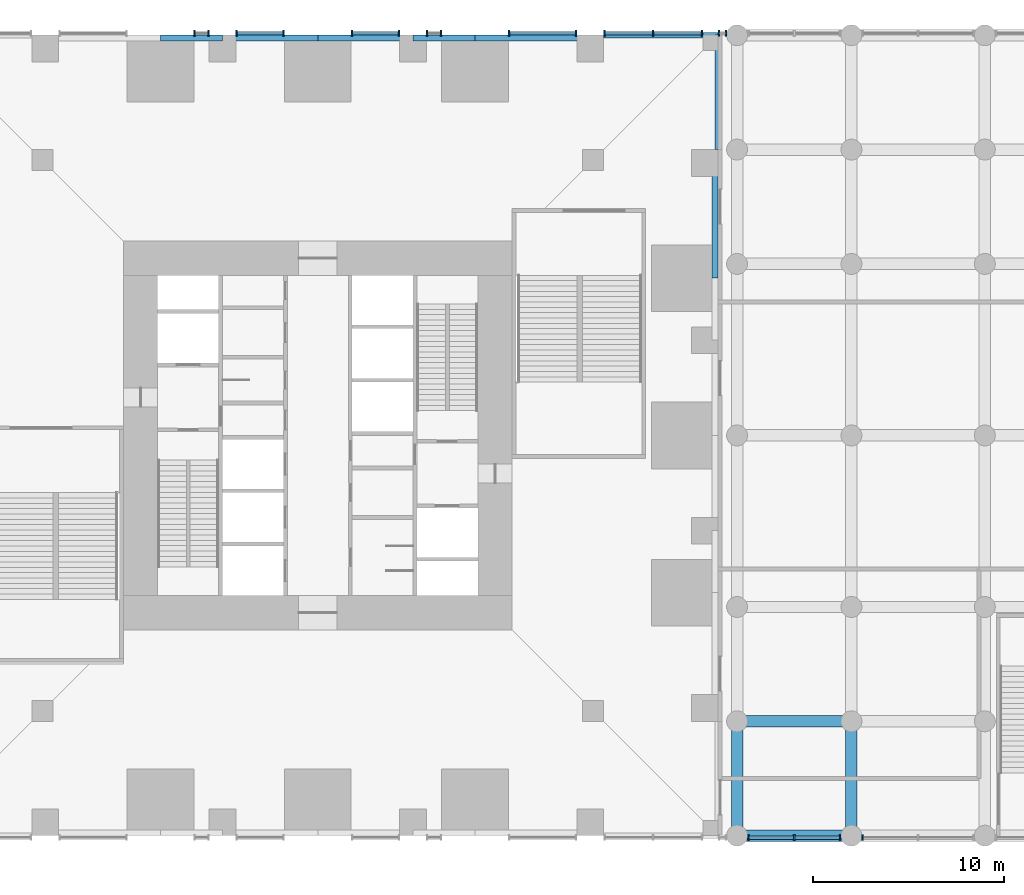
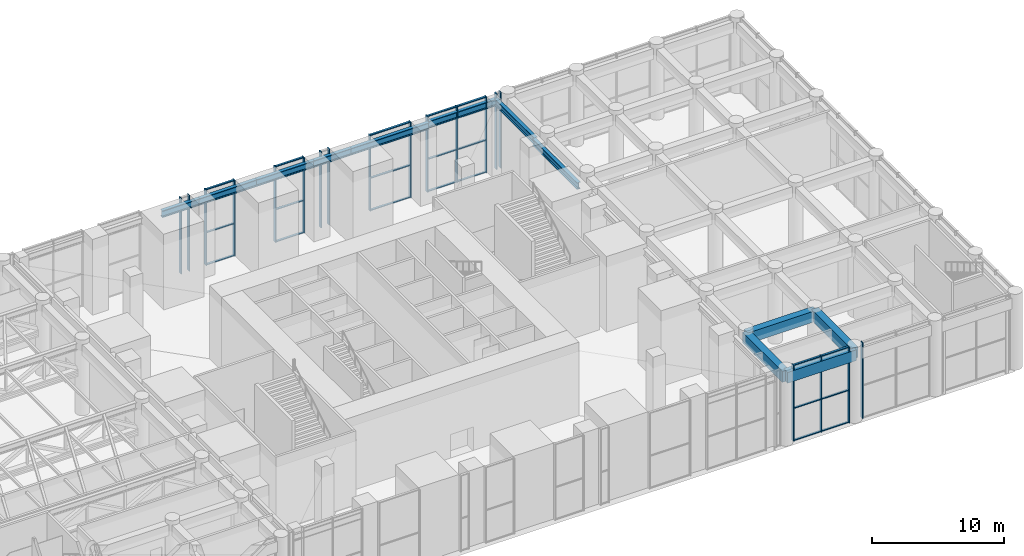
# One storey, part 11 of 30: 40 members, 12 beams, 9 elements without a shape of their own.
"""IFC4 building model written with IfcOpenShell, lengths in metres."""

from ifc_helpers import new_model, si_unit, direction, frame, origin, origin_2d, place, context, subcontext, project, spatial, rectangle, i_section, extrude, material, material_profile, profile_set, type_object, element, aggregate, save


model = new_model("IFC4")

# Units and contexts
model_context = context("Model", 3, precision=1e-05, world=origin(), true_north=direction((0.0, 1.0)))
body_context = subcontext(model_context, "Body", "Model", "MODEL_VIEW")
ifc_project = project(units=[si_unit("LENGTHUNIT", "METRE"), si_unit("AREAUNIT", "SQUARE_METRE"), si_unit("VOLUMEUNIT", "CUBIC_METRE"), si_unit("PLANEANGLEUNIT", "RADIAN"), si_unit("MASSUNIT", "GRAM", prefix="KILO")], contexts=[model_context])

# Site, building, storey
site_placement = place(None, origin())
site = spatial("IfcSite", under=ifc_project, at=site_placement, CompositionType="ELEMENT")
building_placement = place(site_placement, origin())
building = spatial("IfcBuilding", under=site, at=building_placement, Name="Svetlomir Tower", CompositionType="ELEMENT")
storey_placement = place(building_placement, frame((0.0, 0.0, 11.0)))
storey = spatial("IfcBuildingStorey", under=building, at=storey_placement, Name="L02", CompositionType="ELEMENT", Elevation=11.0)

# Curtain wall, members
ifc_material_1 = material(Name="Bronze anodised aluminium curtain wall", Category="aluminium")
curtain_wall_type = type_object("IfcCurtainWallType", Name="CURTAIN WALL CW5 PODIUM", PredefinedType="NOTDEFINED", material=ifc_material_1)
curtain_wall_1_placement = place(storey_placement, origin())
curtain_wall_1 = element("IfcCurtainWall", 1, at=curtain_wall_1_placement, inside=storey, type_object=curtain_wall_type, Name="Curtain wall CW5 L02", PredefinedType="NOTDEFINED")
ifc_material_2 = material(Name="Bronze anodised aluminium", Category="aluminium")
ifc_material_profile_1 = material_profile(ifc_material_2, rectangle(XDim=0.080078125, YDim=0.300048828125, at=origin_2d()), Name="AL 80x300")
ifc_profile_set_1 = profile_set([ifc_material_profile_1], Name="Bronze anodised aluminium 6063-T6")
member_type_1 = type_object("IfcMemberType", Name="CW5 MULLION 80x300", PredefinedType="MULLION", material=ifc_profile_set_1)
member_1_placement = place(storey_placement, frame((43.590087890625, -0.10009765625, 0.0), z_axis=(0.0, 0.0, 1.0), x_axis=(1.0, 0.0, 0.0)))
member_1 = element("IfcMember", 2, at=member_1_placement, type_object=member_type_1, Name="CW5 mullion 1", PredefinedType="MULLION", context=body_context, shape_type="SweptSolid", body=[
    extrude(rectangle(XDim=0.080078125, YDim=0.300048828125, at=origin_2d()), origin(), (0.0, 0.0, 1.0), 7.0),
])
member_2_placement = place(storey_placement, frame((46.0, -0.10009765625, 0.0), z_axis=(0.0, 0.0, 1.0), x_axis=(1.0, 0.0, 0.0)))
member_2 = element("IfcMember", 3, at=member_2_placement, type_object=member_type_1, Name="CW5 mullion 2", PredefinedType="MULLION", context=body_context, shape_type="SweptSolid", body=[
    extrude(rectangle(XDim=0.080078125, YDim=0.300048828125, at=origin_2d()), origin(), (0.0, 0.0, 1.0), 7.0),
])
member_3_placement = place(storey_placement, frame((48.409912109375, -0.10009765625, 0.0), z_axis=(0.0, 0.0, 1.0), x_axis=(1.0, 0.0, 0.0)))
member_3 = element("IfcMember", 4, at=member_3_placement, type_object=member_type_1, Name="CW5 mullion 3", PredefinedType="MULLION", context=body_context, shape_type="SweptSolid", body=[
    extrude(rectangle(XDim=0.080078125, YDim=0.300048828125, at=origin_2d()), origin(), (0.0, 0.0, 1.0), 7.0),
])

# Curtain wall, member
curtain_wall_2_placement = place(storey_placement, origin())
curtain_wall_2 = element("IfcCurtainWall", 5, at=curtain_wall_2_placement, inside=storey, type_object=curtain_wall_type, Name="Curtain wall CW5 L02", PredefinedType="NOTDEFINED")
member_4_placement = place(storey_placement, frame((49.590087890625, -0.10009765625, 0.0), z_axis=(0.0, 0.0, 1.0), x_axis=(1.0, 0.0, 0.0)))
member_4 = element("IfcMember", 6, at=member_4_placement, type_object=member_type_1, Name="CW5 mullion 1", PredefinedType="MULLION", context=body_context, shape_type="SweptSolid", body=[
    extrude(rectangle(XDim=0.080078125, YDim=0.300048828125, at=origin_2d()), origin(), (0.0, 0.0, 1.0), 7.0),
])
aggregate(curtain_wall_2, [member_4])

# Curtain wall, members
curtain_wall_3_placement = place(storey_placement, origin())
curtain_wall_3 = element("IfcCurtainWall", 7, at=curtain_wall_3_placement, inside=storey, type_object=curtain_wall_type, Name="Curtain wall CW5 L02", PredefinedType="NOTDEFINED")
member_5_placement = place(storey_placement, frame((42.409912109375, 42.10009765625, 0.0), z_axis=(0.0, 0.0, 1.0), x_axis=(-1.0, 0.0, 0.0)))
member_5 = element("IfcMember", 8, at=member_5_placement, type_object=member_type_1, Name="CW5 mullion 1", PredefinedType="MULLION", context=body_context, shape_type="SweptSolid", body=[
    extrude(rectangle(XDim=0.080078125, YDim=0.300048828125, at=origin_2d()), origin(), (0.0, 0.0, 1.0), 7.0),
])
member_6_placement = place(storey_placement, frame((42.0400390625, 42.10009765625, 0.0), z_axis=(0.0, 0.0, 1.0), x_axis=(-1.0, 0.0, 0.0)))
member_6 = element("IfcMember", 9, at=member_6_placement, type_object=member_type_1, Name="CW5 mullion 2", PredefinedType="MULLION", context=body_context, shape_type="SweptSolid", body=[
    extrude(rectangle(XDim=0.080078125, YDim=0.300048828125, at=origin_2d()), origin(), (0.0, 0.0, 1.0), 7.0),
])
aggregate(curtain_wall_3, [member_5, member_6])

curtain_wall_4_placement = place(storey_placement, origin())
curtain_wall_4 = element("IfcCurtainWall", 10, at=curtain_wall_4_placement, inside=storey, type_object=curtain_wall_type, Name="Curtain wall CW5 L02", PredefinedType="NOTDEFINED")
member_7_placement = place(storey_placement, frame((41.159912109375, 42.10009765625, 0.0), z_axis=(0.0, 0.0, 1.0), x_axis=(-1.0, 0.0, 0.0)))
member_7 = element("IfcMember", 11, at=member_7_placement, type_object=member_type_1, Name="CW5 mullion 1", PredefinedType="MULLION", context=body_context, shape_type="SweptSolid", body=[
    extrude(rectangle(XDim=0.080078125, YDim=0.300048828125, at=origin_2d()), origin(), (0.0, 0.0, 1.0), 7.0),
])
member_8_placement = place(storey_placement, frame((38.60009765625, 42.10009765625, 0.0), z_axis=(0.0, 0.0, 1.0), x_axis=(-1.0, 0.0, 0.0)))
member_8 = element("IfcMember", 12, at=member_8_placement, type_object=member_type_1, Name="CW5 mullion 2", PredefinedType="MULLION", context=body_context, shape_type="SweptSolid", body=[
    extrude(rectangle(XDim=0.080078125, YDim=0.300048828125, at=origin_2d()), origin(), (0.0, 0.0, 1.0), 7.0),
])
member_9_placement = place(storey_placement, frame((36.0400390625, 42.10009765625, 0.0), z_axis=(0.0, 0.0, 1.0), x_axis=(-1.0, 0.0, 0.0)))
member_9 = element("IfcMember", 13, at=member_9_placement, type_object=member_type_1, Name="CW5 mullion 3", PredefinedType="MULLION", context=body_context, shape_type="SweptSolid", body=[
    extrude(rectangle(XDim=0.080078125, YDim=0.300048828125, at=origin_2d()), origin(), (0.0, 0.0, 1.0), 7.0),
])

curtain_wall_5_placement = place(storey_placement, origin())
curtain_wall_5 = element("IfcCurtainWall", 14, at=curtain_wall_5_placement, inside=storey, type_object=curtain_wall_type, Name="Curtain wall CW5 L02", PredefinedType="NOTDEFINED")
member_10_placement = place(storey_placement, frame((34.56005859375, 42.10009765625, 0.0), z_axis=(0.0, 0.0, 1.0), x_axis=(-1.0, 0.0, 0.0)))
member_10 = element("IfcMember", 15, at=member_10_placement, type_object=member_type_1, Name="CW5 mullion 1", PredefinedType="MULLION", context=body_context, shape_type="SweptSolid", body=[
    extrude(rectangle(XDim=0.080078125, YDim=0.300048828125, at=origin_2d()), origin(), (0.0, 0.0, 1.0), 7.0),
])
member_11_placement = place(storey_placement, frame((31.0400390625, 42.10009765625, 0.0), z_axis=(0.0, 0.0, 1.0), x_axis=(-1.0, 0.0, 0.0)))
member_11 = element("IfcMember", 16, at=member_11_placement, type_object=member_type_1, Name="CW5 mullion 2", PredefinedType="MULLION", context=body_context, shape_type="SweptSolid", body=[
    extrude(rectangle(XDim=0.080078125, YDim=0.300048828125, at=origin_2d()), origin(), (0.0, 0.0, 1.0), 7.0),
])

curtain_wall_6_placement = place(storey_placement, origin())
curtain_wall_6 = element("IfcCurtainWall", 17, at=curtain_wall_6_placement, inside=storey, type_object=curtain_wall_type, Name="Curtain wall CW5 L02", PredefinedType="NOTDEFINED")
member_12_placement = place(storey_placement, frame((27.4599609375, 42.10009765625, 0.0), z_axis=(0.0, 0.0, 1.0), x_axis=(-1.0, 0.0, 0.0)))
member_12 = element("IfcMember", 18, at=member_12_placement, type_object=member_type_1, Name="CW5 mullion 1", PredefinedType="MULLION", context=body_context, shape_type="SweptSolid", body=[
    extrude(rectangle(XDim=0.080078125, YDim=0.300048828125, at=origin_2d()), origin(), (0.0, 0.0, 1.0), 7.0),
])
member_13_placement = place(storey_placement, frame((26.739990234375, 42.10009765625, 0.0), z_axis=(0.0, 0.0, 1.0), x_axis=(-1.0, 0.0, 0.0)))
member_13 = element("IfcMember", 19, at=member_13_placement, type_object=member_type_1, Name="CW5 mullion 2", PredefinedType="MULLION", context=body_context, shape_type="SweptSolid", body=[
    extrude(rectangle(XDim=0.080078125, YDim=0.300048828125, at=origin_2d()), origin(), (0.0, 0.0, 1.0), 7.0),
])
aggregate(curtain_wall_6, [member_12, member_13])

curtain_wall_7_placement = place(storey_placement, origin())
curtain_wall_7 = element("IfcCurtainWall", 20, at=curtain_wall_7_placement, inside=storey, type_object=curtain_wall_type, Name="Curtain wall CW5 L02", PredefinedType="NOTDEFINED")
member_14_placement = place(storey_placement, frame((25.260009765625, 42.10009765625, 0.0), z_axis=(0.0, 0.0, 1.0), x_axis=(-1.0, 0.0, 0.0)))
member_14 = element("IfcMember", 21, at=member_14_placement, type_object=member_type_1, Name="CW5 mullion 1", PredefinedType="MULLION", context=body_context, shape_type="SweptSolid", body=[
    extrude(rectangle(XDim=0.080078125, YDim=0.300048828125, at=origin_2d()), origin(), (0.0, 0.0, 1.0), 7.0),
])
member_15_placement = place(storey_placement, frame((22.7900390625, 42.10009765625, 0.0), z_axis=(0.0, 0.0, 1.0), x_axis=(-1.0, 0.0, 0.0)))
member_15 = element("IfcMember", 22, at=member_15_placement, type_object=member_type_1, Name="CW5 mullion 2", PredefinedType="MULLION", context=body_context, shape_type="SweptSolid", body=[
    extrude(rectangle(XDim=0.080078125, YDim=0.300048828125, at=origin_2d()), origin(), (0.0, 0.0, 1.0), 7.0),
])

curtain_wall_8_placement = place(storey_placement, origin())
curtain_wall_8 = element("IfcCurtainWall", 23, at=curtain_wall_8_placement, inside=storey, type_object=curtain_wall_type, Name="Curtain wall CW5 L02", PredefinedType="NOTDEFINED")
member_16_placement = place(storey_placement, frame((19.2099609375, 42.10009765625, 0.0), z_axis=(0.0, 0.0, 1.0), x_axis=(-1.0, 0.0, 0.0)))
member_16 = element("IfcMember", 24, at=member_16_placement, type_object=member_type_1, Name="CW5 mullion 1", PredefinedType="MULLION", context=body_context, shape_type="SweptSolid", body=[
    extrude(rectangle(XDim=0.080078125, YDim=0.300048828125, at=origin_2d()), origin(), (0.0, 0.0, 1.0), 7.0),
])
member_17_placement = place(storey_placement, frame((16.739990234375, 42.10009765625, 0.0), z_axis=(0.0, 0.0, 1.0), x_axis=(-1.0, 0.0, 0.0)))
member_17 = element("IfcMember", 25, at=member_17_placement, type_object=member_type_1, Name="CW5 mullion 2", PredefinedType="MULLION", context=body_context, shape_type="SweptSolid", body=[
    extrude(rectangle(XDim=0.080078125, YDim=0.300048828125, at=origin_2d()), origin(), (0.0, 0.0, 1.0), 7.0),
])

curtain_wall_9_placement = place(storey_placement, origin())
curtain_wall_9 = element("IfcCurtainWall", 26, at=curtain_wall_9_placement, inside=storey, type_object=curtain_wall_type, Name="Curtain wall CW5 L02", PredefinedType="NOTDEFINED")
member_18_placement = place(storey_placement, frame((15.260009765625, 42.10009765625, 0.0), z_axis=(0.0, 0.0, 1.0), x_axis=(-1.0, 0.0, 0.0)))
member_18 = element("IfcMember", 27, at=member_18_placement, type_object=member_type_1, Name="CW5 mullion 1", PredefinedType="MULLION", context=body_context, shape_type="SweptSolid", body=[
    extrude(rectangle(XDim=0.080078125, YDim=0.300048828125, at=origin_2d()), origin(), (0.0, 0.0, 1.0), 7.0),
])
member_19_placement = place(storey_placement, frame((14.5400390625, 42.10009765625, 0.0), z_axis=(0.0, 0.0, 1.0), x_axis=(-1.0, 0.0, 0.0)))
member_19 = element("IfcMember", 28, at=member_19_placement, type_object=member_type_1, Name="CW5 mullion 2", PredefinedType="MULLION", context=body_context, shape_type="SweptSolid", body=[
    extrude(rectangle(XDim=0.080078125, YDim=0.300048828125, at=origin_2d()), origin(), (0.0, 0.0, 1.0), 7.0),
])
aggregate(curtain_wall_9, [member_18, member_19])

# Member
ifc_material_3 = material(Name="Bronze anodised aluminium", Category="aluminium")
ifc_material_profile_2 = material_profile(ifc_material_3, rectangle(XDim=0.179931640625, YDim=0.080078125, at=origin_2d()), Name="AL 180x80")
ifc_profile_set_2 = profile_set([ifc_material_profile_2], Name="Bronze anodised aluminium 6063-T6")
member_type_2 = type_object("IfcMemberType", Name="CW5 TRANSOM 80x180", PredefinedType="USERDEFINED", material=ifc_profile_set_2)
member_20_placement = place(storey_placement, frame((43.6298828125, -0.10009765625, 0.0400390625), z_axis=(1.0, 0.0, 0.0), x_axis=(0.0, 1.0, 0.0)))
member_20 = element("IfcMember", 29, at=member_20_placement, type_object=member_type_2, Name="CW5 transom 1.1", ObjectType="TRANSOM", PredefinedType="USERDEFINED", context=body_context, shape_type="SweptSolid", body=[
    extrude(rectangle(XDim=0.179931640625, YDim=0.080078125, at=origin_2d()), origin(), (0.0, 0.0, 1.0), 2.330078125),
])

member_21_placement = place(storey_placement, frame((43.6298828125, -0.10009765625, 3.0), z_axis=(1.0, 0.0, 0.0), x_axis=(0.0, 1.0, 0.0)))
member_21 = element("IfcMember", 30, at=member_21_placement, type_object=member_type_2, Name="CW5 transom 1.2", ObjectType="TRANSOM", PredefinedType="USERDEFINED", context=body_context, shape_type="SweptSolid", body=[
    extrude(rectangle(XDim=0.179931640625, YDim=0.080078125, at=origin_2d()), origin(), (0.0, 0.0, 1.0), 2.330078125),
])

member_22_placement = place(storey_placement, frame((43.6298828125, -0.10009765625, 6.9599609375), z_axis=(1.0, 0.0, 0.0), x_axis=(0.0, 1.0, 0.0)))
member_22 = element("IfcMember", 31, at=member_22_placement, type_object=member_type_2, Name="CW5 transom 1.3", ObjectType="TRANSOM", PredefinedType="USERDEFINED", context=body_context, shape_type="SweptSolid", body=[
    extrude(rectangle(XDim=0.179931640625, YDim=0.080078125, at=origin_2d()), origin(), (0.0, 0.0, 1.0), 2.330078125),
])

member_23_placement = place(storey_placement, frame((46.0400390625, -0.10009765625, 0.0400390625), z_axis=(1.0, 0.0, 0.0), x_axis=(0.0, 1.0, 0.0)))
member_23 = element("IfcMember", 32, at=member_23_placement, type_object=member_type_2, Name="CW5 transom 2.1", ObjectType="TRANSOM", PredefinedType="USERDEFINED", context=body_context, shape_type="SweptSolid", body=[
    extrude(rectangle(XDim=0.179931640625, YDim=0.080078125, at=origin_2d()), origin(), (0.0, 0.0, 1.0), 2.330078125),
])

member_24_placement = place(storey_placement, frame((46.0400390625, -0.10009765625, 3.0), z_axis=(1.0, 0.0, 0.0), x_axis=(0.0, 1.0, 0.0)))
member_24 = element("IfcMember", 33, at=member_24_placement, type_object=member_type_2, Name="CW5 transom 2.2", ObjectType="TRANSOM", PredefinedType="USERDEFINED", context=body_context, shape_type="SweptSolid", body=[
    extrude(rectangle(XDim=0.179931640625, YDim=0.080078125, at=origin_2d()), origin(), (0.0, 0.0, 1.0), 2.330078125),
])

member_25_placement = place(storey_placement, frame((46.0400390625, -0.10009765625, 6.9599609375), z_axis=(1.0, 0.0, 0.0), x_axis=(0.0, 1.0, 0.0)))
member_25 = element("IfcMember", 34, at=member_25_placement, type_object=member_type_2, Name="CW5 transom 2.3", ObjectType="TRANSOM", PredefinedType="USERDEFINED", context=body_context, shape_type="SweptSolid", body=[
    extrude(rectangle(XDim=0.179931640625, YDim=0.080078125, at=origin_2d()), origin(), (0.0, 0.0, 1.0), 2.330078125),
])

aggregate(curtain_wall_1, [member_1, member_2, member_3, member_20, member_21, member_22, member_23, member_24, member_25])

member_26_placement = place(storey_placement, frame((41.1201171875, 42.10009765625, 0.0400390625), z_axis=(-1.0, 0.0, 0.0), x_axis=(0.0, -1.0, 0.0)))
member_26 = element("IfcMember", 35, at=member_26_placement, type_object=member_type_2, Name="CW5 transom 1.1", ObjectType="TRANSOM", PredefinedType="USERDEFINED", context=body_context, shape_type="SweptSolid", body=[
    extrude(rectangle(XDim=0.179931640625, YDim=0.080078125, at=origin_2d()), origin(), (0.0, 0.0, 1.0), 2.480224609375),
])

member_27_placement = place(storey_placement, frame((41.1201171875, 42.10009765625, 3.0), z_axis=(-1.0, 0.0, 0.0), x_axis=(0.0, -1.0, 0.0)))
member_27 = element("IfcMember", 36, at=member_27_placement, type_object=member_type_2, Name="CW5 transom 1.2", ObjectType="TRANSOM", PredefinedType="USERDEFINED", context=body_context, shape_type="SweptSolid", body=[
    extrude(rectangle(XDim=0.179931640625, YDim=0.080078125, at=origin_2d()), origin(), (0.0, 0.0, 1.0), 2.480224609375),
])

member_28_placement = place(storey_placement, frame((41.1201171875, 42.10009765625, 6.9599609375), z_axis=(-1.0, 0.0, 0.0), x_axis=(0.0, -1.0, 0.0)))
member_28 = element("IfcMember", 37, at=member_28_placement, type_object=member_type_2, Name="CW5 transom 1.3", ObjectType="TRANSOM", PredefinedType="USERDEFINED", context=body_context, shape_type="SweptSolid", body=[
    extrude(rectangle(XDim=0.179931640625, YDim=0.080078125, at=origin_2d()), origin(), (0.0, 0.0, 1.0), 2.480224609375),
])

member_29_placement = place(storey_placement, frame((38.56005859375, 42.10009765625, 0.0400390625), z_axis=(-1.0, 0.0, 0.0), x_axis=(0.0, -1.0, 0.0)))
member_29 = element("IfcMember", 38, at=member_29_placement, type_object=member_type_2, Name="CW5 transom 2.1", ObjectType="TRANSOM", PredefinedType="USERDEFINED", context=body_context, shape_type="SweptSolid", body=[
    extrude(rectangle(XDim=0.179931640625, YDim=0.080078125, at=origin_2d()), origin(), (0.0, 0.0, 1.0), 2.47998046875),
])

member_30_placement = place(storey_placement, frame((38.56005859375, 42.10009765625, 3.0), z_axis=(-1.0, 0.0, 0.0), x_axis=(0.0, -1.0, 0.0)))
member_30 = element("IfcMember", 39, at=member_30_placement, type_object=member_type_2, Name="CW5 transom 2.2", ObjectType="TRANSOM", PredefinedType="USERDEFINED", context=body_context, shape_type="SweptSolid", body=[
    extrude(rectangle(XDim=0.179931640625, YDim=0.080078125, at=origin_2d()), origin(), (0.0, 0.0, 1.0), 2.47998046875),
])

member_31_placement = place(storey_placement, frame((38.56005859375, 42.10009765625, 6.9599609375), z_axis=(-1.0, 0.0, 0.0), x_axis=(0.0, -1.0, 0.0)))
member_31 = element("IfcMember", 40, at=member_31_placement, type_object=member_type_2, Name="CW5 transom 2.3", ObjectType="TRANSOM", PredefinedType="USERDEFINED", context=body_context, shape_type="SweptSolid", body=[
    extrude(rectangle(XDim=0.179931640625, YDim=0.080078125, at=origin_2d()), origin(), (0.0, 0.0, 1.0), 2.47998046875),
])

aggregate(curtain_wall_4, [member_7, member_8, member_9, member_26, member_27, member_28, member_29, member_30, member_31])

member_32_placement = place(storey_placement, frame((34.52001953125, 42.10009765625, 0.0400390625), z_axis=(-1.0, 0.0, 0.0), x_axis=(0.0, -1.0, 0.0)))
member_32 = element("IfcMember", 41, at=member_32_placement, type_object=member_type_2, Name="CW5 transom 1.1", ObjectType="TRANSOM", PredefinedType="USERDEFINED", context=body_context, shape_type="SweptSolid", body=[
    extrude(rectangle(XDim=0.179931640625, YDim=0.080078125, at=origin_2d()), origin(), (0.0, 0.0, 1.0), 3.43994140625),
])

member_33_placement = place(storey_placement, frame((34.52001953125, 42.10009765625, 3.0), z_axis=(-1.0, 0.0, 0.0), x_axis=(0.0, -1.0, 0.0)))
member_33 = element("IfcMember", 42, at=member_33_placement, type_object=member_type_2, Name="CW5 transom 1.2", ObjectType="TRANSOM", PredefinedType="USERDEFINED", context=body_context, shape_type="SweptSolid", body=[
    extrude(rectangle(XDim=0.179931640625, YDim=0.080078125, at=origin_2d()), origin(), (0.0, 0.0, 1.0), 3.43994140625),
])

member_34_placement = place(storey_placement, frame((34.52001953125, 42.10009765625, 6.9599609375), z_axis=(-1.0, 0.0, 0.0), x_axis=(0.0, -1.0, 0.0)))
member_34 = element("IfcMember", 43, at=member_34_placement, type_object=member_type_2, Name="CW5 transom 1.3", ObjectType="TRANSOM", PredefinedType="USERDEFINED", context=body_context, shape_type="SweptSolid", body=[
    extrude(rectangle(XDim=0.179931640625, YDim=0.080078125, at=origin_2d()), origin(), (0.0, 0.0, 1.0), 3.43994140625),
])

aggregate(curtain_wall_5, [member_10, member_11, member_32, member_33, member_34])

member_35_placement = place(storey_placement, frame((25.219970703125, 42.10009765625, 0.0400390625), z_axis=(-1.0, 0.0, 0.0), x_axis=(0.0, -1.0, 0.0)))
member_35 = element("IfcMember", 44, at=member_35_placement, type_object=member_type_2, Name="CW5 transom 1.1", ObjectType="TRANSOM", PredefinedType="USERDEFINED", context=body_context, shape_type="SweptSolid", body=[
    extrude(rectangle(XDim=0.179931640625, YDim=0.080078125, at=origin_2d()), origin(), (0.0, 0.0, 1.0), 2.389892578125),
])

member_36_placement = place(storey_placement, frame((25.219970703125, 42.10009765625, 3.0), z_axis=(-1.0, 0.0, 0.0), x_axis=(0.0, -1.0, 0.0)))
member_36 = element("IfcMember", 45, at=member_36_placement, type_object=member_type_2, Name="CW5 transom 1.2", ObjectType="TRANSOM", PredefinedType="USERDEFINED", context=body_context, shape_type="SweptSolid", body=[
    extrude(rectangle(XDim=0.179931640625, YDim=0.080078125, at=origin_2d()), origin(), (0.0, 0.0, 1.0), 2.389892578125),
])

member_37_placement = place(storey_placement, frame((25.219970703125, 42.10009765625, 6.9599609375), z_axis=(-1.0, 0.0, 0.0), x_axis=(0.0, -1.0, 0.0)))
member_37 = element("IfcMember", 46, at=member_37_placement, type_object=member_type_2, Name="CW5 transom 1.3", ObjectType="TRANSOM", PredefinedType="USERDEFINED", context=body_context, shape_type="SweptSolid", body=[
    extrude(rectangle(XDim=0.179931640625, YDim=0.080078125, at=origin_2d()), origin(), (0.0, 0.0, 1.0), 2.389892578125),
])

aggregate(curtain_wall_7, [member_14, member_15, member_35, member_36, member_37])

member_38_placement = place(storey_placement, frame((19.169921875, 42.10009765625, 0.0400390625), z_axis=(-1.0, 0.0, 0.0), x_axis=(0.0, -1.0, 0.0)))
member_38 = element("IfcMember", 47, at=member_38_placement, type_object=member_type_2, Name="CW5 transom 1.1", ObjectType="TRANSOM", PredefinedType="USERDEFINED", context=body_context, shape_type="SweptSolid", body=[
    extrude(rectangle(XDim=0.179931640625, YDim=0.080078125, at=origin_2d()), origin(), (0.0, 0.0, 1.0), 2.389892578125),
])

member_39_placement = place(storey_placement, frame((19.169921875, 42.10009765625, 3.0), z_axis=(-1.0, 0.0, 0.0), x_axis=(0.0, -1.0, 0.0)))
member_39 = element("IfcMember", 48, at=member_39_placement, type_object=member_type_2, Name="CW5 transom 1.2", ObjectType="TRANSOM", PredefinedType="USERDEFINED", context=body_context, shape_type="SweptSolid", body=[
    extrude(rectangle(XDim=0.179931640625, YDim=0.080078125, at=origin_2d()), origin(), (0.0, 0.0, 1.0), 2.389892578125),
])

member_40_placement = place(storey_placement, frame((19.169921875, 42.10009765625, 6.9599609375), z_axis=(-1.0, 0.0, 0.0), x_axis=(0.0, -1.0, 0.0)))
member_40 = element("IfcMember", 49, at=member_40_placement, type_object=member_type_2, Name="CW5 transom 1.3", ObjectType="TRANSOM", PredefinedType="USERDEFINED", context=body_context, shape_type="SweptSolid", body=[
    extrude(rectangle(XDim=0.179931640625, YDim=0.080078125, at=origin_2d()), origin(), (0.0, 0.0, 1.0), 2.389892578125),
])

aggregate(curtain_wall_8, [member_16, member_17, member_38, member_39, member_40])

# Beams
ifc_material_4 = material(Name="Concrete C60/75", Category="concrete")
ifc_material_profile_3 = material_profile(ifc_material_4, rectangle(XDim=0.60009765625, YDim=1.0, at=origin_2d()), Name="RC 600x1000")
ifc_profile_set_3 = profile_set([ifc_material_profile_3], Name="Concrete C60/75")
beam_type_1 = type_object("IfcBeamType", Name="PODIUM BEAM RC 600x1000", PredefinedType="BEAM", material=ifc_profile_set_3)
for number, where, z_axis, x_axis, name in (
    (50, (43.0, 0.0, 6.10009765625), (0.0, 1.0, 0.0), (-1.0, 0.0, 0.0), "Podium beam 43/0 to 43/6 under L03"),
    (51, (43.0, 0.0, 6.10009765625), (1.0, 0.0, 0.0), (0.0, 1.0, 0.0), "Podium beam 43/0 to 49/0 under L03"),
    (52, (43.0, 6.0, 6.10009765625), (1.0, 0.0, 0.0), (0.0, 1.0, 0.0), "Podium beam 43/6 to 49/6 under L03"),
    (53, (49.0, 0.0, 6.10009765625), (0.0, 1.0, 0.0), (-1.0, 0.0, 0.0), "Podium beam 49/0 to 49/6 under L03"),
):
    element("IfcBeam", number, at=place(storey_placement, frame(where, z_axis=z_axis, x_axis=x_axis)), inside=storey, type_object=beam_type_1, Name=name, PredefinedType="BEAM", context=body_context, shape_type="SweptSolid", body=[
        extrude(rectangle(XDim=0.60009765625, YDim=1.0, at=origin_2d()), origin(), (0.0, 0.0, 1.0), 6.0),
    ])
ifc_material_5 = material(Name="Steel S355", Category="steel")
ifc_material_profile_4 = material_profile(ifc_material_5, i_section(OverallWidth=0.304931640625, OverallDepth=0.6201171875, WebThickness=0.02099609375, FlangeThickness=0.0400390625, FilletRadius=0.027099609375, at=origin_2d()), Name="HEM 600")
ifc_profile_set_4 = profile_set([ifc_material_profile_4], Name="Steel S355")
beam_type_2 = type_object("IfcBeamType", Name="PODIUM EDGE BEAM HEM 600", PredefinedType="BEAM", material=ifc_profile_set_4)
beam_1_placement = place(storey_placement, frame((12.75, 41.847412109375, 6.2900390625), z_axis=(1.0, 0.0, 0.0), x_axis=(0.0, 1.0, 0.0)))
element("IfcBeam", 54, at=beam_1_placement, inside=storey, type_object=beam_type_2, Name="Podium beam 11/42 to 16/42 under L03", PredefinedType="BEAM", context=body_context, shape_type="SweptSolid", body=[
    extrude(i_section(OverallWidth=0.304931640625, OverallDepth=0.6201171875, WebThickness=0.02099609375, FlangeThickness=0.0400390625, FilletRadius=0.027099609375, at=origin_2d()), origin(), (0.0, 0.0, 1.0), 3.25),
])
for number, where, z_axis, x_axis, name in (
    (55, (16.0, 41.847412109375, 6.2900390625), (1.0, 0.0, 0.0), (0.0, 1.0, 0.0), "Podium beam 16/42 to 21/42 under L03"),
    (56, (21.0, 41.847412109375, 6.2900390625), (1.0, 0.0, 0.0), (0.0, 1.0, 0.0), "Podium beam 21/42 to 26/42 under L03"),
):
    element("IfcBeam", number, at=place(storey_placement, frame(where, z_axis=z_axis, x_axis=x_axis)), inside=storey, type_object=beam_type_2, Name=name, PredefinedType="BEAM", context=body_context, shape_type="SweptSolid", body=[
        extrude(i_section(OverallWidth=0.304931640625, OverallDepth=0.6201171875, WebThickness=0.02099609375, FlangeThickness=0.0400390625, FilletRadius=0.027099609375, at=origin_2d()), origin(), (0.0, 0.0, 1.0), 5.0),
    ])
beam_2_placement = place(storey_placement, frame((26.0, 41.847412109375, 6.2900390625), z_axis=(1.0, 0.0, 0.0), x_axis=(0.0, 1.0, 0.0)))
element("IfcBeam", 57, at=beam_2_placement, inside=storey, type_object=beam_type_2, Name="Podium beam 26/42 to 31/42 under L03", PredefinedType="BEAM", context=body_context, shape_type="SweptSolid", body=[
    extrude(i_section(OverallWidth=0.304931640625, OverallDepth=0.6201171875, WebThickness=0.02099609375, FlangeThickness=0.0400390625, FilletRadius=0.027099609375, at=origin_2d()), origin(), (0.0, 0.0, 1.0), 3.25),
])
beam_3_placement = place(storey_placement, frame((29.25, 41.847412109375, 6.2900390625), z_axis=(1.0, 0.0, 0.0), x_axis=(0.0, 1.0, 0.0)))
element("IfcBeam", 58, at=beam_3_placement, inside=storey, type_object=beam_type_2, Name="Podium beam 31/42 to 36/42 under L03", PredefinedType="BEAM", context=body_context, shape_type="SweptSolid", body=[
    extrude(i_section(OverallWidth=0.304931640625, OverallDepth=0.6201171875, WebThickness=0.02099609375, FlangeThickness=0.0400390625, FilletRadius=0.027099609375, at=origin_2d()), origin(), (0.0, 0.0, 1.0), 6.75),
])
beam_4_placement = place(storey_placement, frame((36.0, 42.0, 6.2900390625), z_axis=(1.0, 0.0, 0.0), x_axis=(0.0, 1.0, 0.0)))
element("IfcBeam", 59, at=beam_4_placement, inside=storey, type_object=beam_type_2, Name="Podium beam 36/42 to 42/42 under L03", PredefinedType="BEAM", context=body_context, shape_type="SweptSolid", body=[
    extrude(i_section(OverallWidth=0.304931640625, OverallDepth=0.6201171875, WebThickness=0.02099609375, FlangeThickness=0.0400390625, FilletRadius=0.027099609375, at=origin_2d()), origin(), (0.0, 0.0, 1.0), 6.0),
])
beam_5_placement = place(storey_placement, frame((41.847412109375, 29.25, 6.2900390625), z_axis=(0.0, 1.0, 0.0), x_axis=(-1.0, 0.0, 0.0)))
element("IfcBeam", 60, at=beam_5_placement, inside=storey, type_object=beam_type_2, Name="Podium beam 42/31 to 42/36 under L03", PredefinedType="BEAM", context=body_context, shape_type="SweptSolid", body=[
    extrude(i_section(OverallWidth=0.304931640625, OverallDepth=0.6201171875, WebThickness=0.02099609375, FlangeThickness=0.0400390625, FilletRadius=0.027099609375, at=origin_2d()), origin(), (0.0, 0.0, 1.0), 6.75),
])
beam_6_placement = place(storey_placement, frame((42.0, 36.0, 6.2900390625), z_axis=(0.0, 1.0, 0.0), x_axis=(-1.0, 0.0, 0.0)))
element("IfcBeam", 61, at=beam_6_placement, inside=storey, type_object=beam_type_2, Name="Podium beam 42/36 to 42/42 under L03", PredefinedType="BEAM", context=body_context, shape_type="SweptSolid", body=[
    extrude(i_section(OverallWidth=0.304931640625, OverallDepth=0.6201171875, WebThickness=0.02099609375, FlangeThickness=0.0400390625, FilletRadius=0.027099609375, at=origin_2d()), origin(), (0.0, 0.0, 1.0), 6.0),
])

save(model, "model.ifc")
